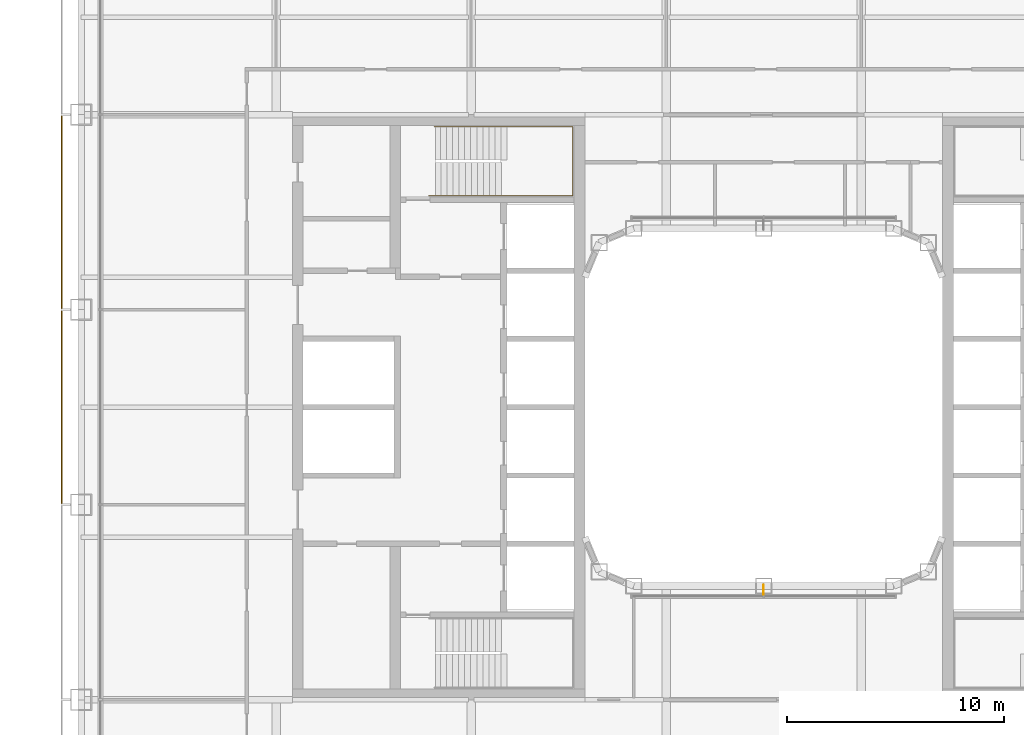
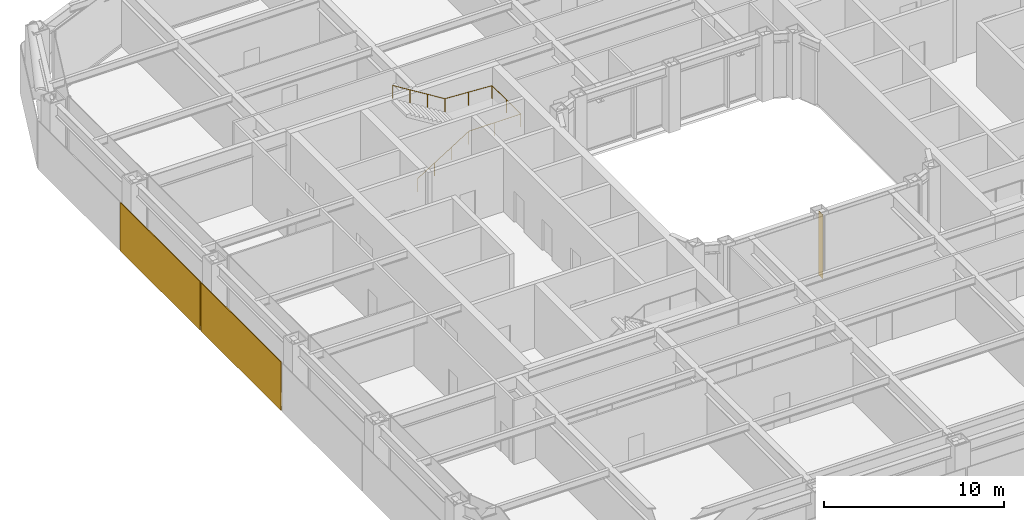
# One storey, part 24 of 27: 2 coverings, 1 railing, 1 shading device.
"""IFC4 building model written with IfcOpenShell, lengths in metres."""

from ifc_helpers import new_model, si_unit, direction, frame, origin, origin_2d, place, context, subcontext, project, spatial, rectangle, circle, extrude, material, layer, layer_set, type_object, element, save


model = new_model("IFC4")

# Units and contexts
model_context = context("Model", 3, precision=1e-05, world=origin(), true_north=direction((0.0, 1.0)))
body_context = subcontext(model_context, "Body", "Model", "MODEL_VIEW")
ifc_project = project(units=[si_unit("LENGTHUNIT", "METRE"), si_unit("AREAUNIT", "SQUARE_METRE"), si_unit("VOLUMEUNIT", "CUBIC_METRE"), si_unit("PLANEANGLEUNIT", "RADIAN"), si_unit("MASSUNIT", "GRAM", prefix="KILO")], contexts=[model_context])

# Site, building, storey
site_placement = place(None, origin())
site = spatial("IfcSite", under=ifc_project, at=site_placement, CompositionType="ELEMENT")
building_placement = place(site_placement, origin())
building = spatial("IfcBuilding", under=site, at=building_placement, Name="Siwar Civic Tower", CompositionType="ELEMENT")
storey_placement = place(building_placement, frame((0.0, 0.0, 53.699951171875)))
storey = spatial("IfcBuildingStorey", under=building, at=storey_placement, Name="L11", CompositionType="ELEMENT", Elevation=53.699951171875)

# Railing
ifc_material_1 = material(Name="Stainless steel", Category="steel")
railing_type = type_object("IfcRailingType", Name="CORE-STAIR-HANDRAIL", PredefinedType="HANDRAIL", material=ifc_material_1)
railing_placement = place(storey_placement, frame((-15.449951171875, 9.758056640625, 0.173095703125)))
element("IfcRailing", 1, at=railing_placement, inside=storey, type_object=railing_type, Name="Stair handrail ST1", PredefinedType="HANDRAIL", context=body_context, shape_type="SweptSolid", body=[
    extrude(circle(Radius=0.02001953125, at=origin_2d()), frame((0.0, 0.0, 0.8798828125), z_axis=(0.847063342986, 0.0, 0.531491950051), x_axis=(0.0, 1.0, 0.0)), (0.0, 0.0, 1.0), 3.90771484375),
    extrude(circle(Radius=0.02001953125, at=origin_2d()), frame((3.31005859375, 0.0, 2.956787109375), z_axis=(1.0, 0.0, 0.0), x_axis=(0.0, 1.0, 0.0)), (0.0, 0.0, 1.0), 3.331787109375),
    extrude(circle(Radius=0.02001953125, at=origin_2d()), frame((6.641845703125, 0.0, 2.956787109375), z_axis=(0.0, 1.0, 0.0), x_axis=(-1.0, 0.0, 0.0)), (0.0, 0.0, 1.0), 3.183837890625),
    extrude(circle(Radius=0.02001953125, at=origin_2d()), frame((6.641845703125, 3.183837890625, 2.956787109375), z_axis=(-0.99837434197, 0.0, 0.056997134106), x_axis=(0.0, -1.0, 0.0)), (0.0, 0.0, 1.0), 3.036865234375),
    extrude(circle(Radius=0.02001953125, at=origin_2d()), frame((3.60986328125, 3.183837890625, 3.1298828125), z_axis=(-0.850606129759, 0.0, 0.525803396734), x_axis=(0.0, -1.0, 0.0)), (0.0, 0.0, 1.0), 3.949951171875),
    extrude(circle(Radius=0.02001953125, at=origin_2d()), origin(), (0.0, 0.0, 1.0), 0.85986328125),
    extrude(circle(Radius=0.02001953125, at=origin_2d()), frame((1.103271484375, 0.0, 0.6923828125)), (0.0, 0.0, 1.0), 0.85986328125),
    extrude(circle(Radius=0.02001953125, at=origin_2d()), frame((2.206787109375, 0.0, 1.384521484375)), (0.0, 0.0, 1.0), 0.85986328125),
    extrude(circle(Radius=0.02001953125, at=origin_2d()), frame((3.31005859375, 0.0, 2.076904296875)), (0.0, 0.0, 1.0), 0.85986328125),
    extrude(circle(Radius=0.02001953125, at=origin_2d()), frame((4.97607421875, 0.0, 2.076904296875)), (0.0, 0.0, 1.0), 0.85986328125),
    extrude(circle(Radius=0.02001953125, at=origin_2d()), frame((6.641845703125, 0.0, 2.076904296875)), (0.0, 0.0, 1.0), 0.85986328125),
    extrude(circle(Radius=0.02001953125, at=origin_2d()), frame((6.641845703125, 1.591796875, 2.076904296875)), (0.0, 0.0, 1.0), 0.85986328125),
    extrude(circle(Radius=0.02001953125, at=origin_2d()), frame((6.641845703125, 3.183837890625, 2.076904296875)), (0.0, 0.0, 1.0), 0.85986328125),
    extrude(circle(Radius=0.02001953125, at=origin_2d()), frame((5.1259765625, 3.183837890625, 2.16357421875)), (0.0, 0.0, 1.0), 0.85986328125),
    extrude(circle(Radius=0.02001953125, at=origin_2d()), frame((3.60986328125, 3.183837890625, 2.25)), (0.0, 0.0, 1.0), 0.85986328125),
    extrude(circle(Radius=0.02001953125, at=origin_2d()), frame((2.489990234375, 3.183837890625, 2.9423828125)), (0.0, 0.0, 1.0), 0.85986328125),
    extrude(circle(Radius=0.02001953125, at=origin_2d()), frame((1.369873046875, 3.183837890625, 3.634521484375)), (0.0, 0.0, 1.0), 0.85986328125),
    extrude(circle(Radius=0.02001953125, at=origin_2d()), frame((0.25, 3.183837890625, 4.326904296875)), (0.0, 0.0, 1.0), 0.85986328125),
])

# Shading device
ifc_material_2 = material(Name="Aluminium 6063-T6", Category="aluminium")
ifc_layer_1 = layer(ifc_material_2, 0.02001953125)
ifc_layer_set_1 = layer_set([ifc_layer_1], Name="Aluminium 6063-T6")
shading_device_type = type_object("IfcShadingDeviceType", Name="ENV-FIN", PredefinedType="JALOUSIE", material=ifc_layer_set_1)
shading_device_placement = place(storey_placement, frame((0.0, -8.419921875, 0.0), z_axis=(0.0, 0.0, 1.0), x_axis=(1.0, 0.0, 0.0)))
element("IfcShadingDevice", 2, at=shading_device_placement, inside=storey, type_object=shading_device_type, Name="SUNSHADE fin WS 1", PredefinedType="JALOUSIE", context=body_context, shape_type="SweptSolid", body=[
    extrude(rectangle(XDim=0.02001953125, YDim=0.449951171875, at=origin_2d()), origin(), (0.0, 0.0, 1.0), 4.35009765625),
])

# Coverings
ifc_material_3 = material(Name="Perforated aluminium cassette, pale metal", Category="aluminium")
ifc_layer_2 = layer(ifc_material_3, 0.050048828125)
ifc_layer_set_2 = layer_set([ifc_layer_2], Name="Perforated aluminium cassette, pale metal")
covering_type = type_object("IfcCoveringType", Name="ENV-OUTER SKIN OS-3", PredefinedType="CLADDING", material=ifc_layer_set_2)
for number, where, z_axis, x_axis, name in (
    (3, (-32.39990234375, 9.0, -0.14990234375), (0.0, 0.0, 1.0), (0.0, -1.0, 0.0), "OUTER SKIN OS-3 W 2"),
    (4, (-32.39990234375, 0.0, -0.14990234375), (0.0, 0.0, 1.0), (0.0, -1.0, 0.0), "OUTER SKIN OS-3 W 3"),
):
    element("IfcCovering", number, at=place(storey_placement, frame(where, z_axis=z_axis, x_axis=x_axis)), inside=storey, type_object=covering_type, Name=name, PredefinedType="CLADDING", context=body_context, shape_type="SweptSolid", body=[
        extrude(rectangle(XDim=8.89990234375, YDim=0.050048828125, at=origin_2d()), origin(), (0.0, 0.0, 1.0), 3.300048828125),
    ])

save(model, "model.ifc")
